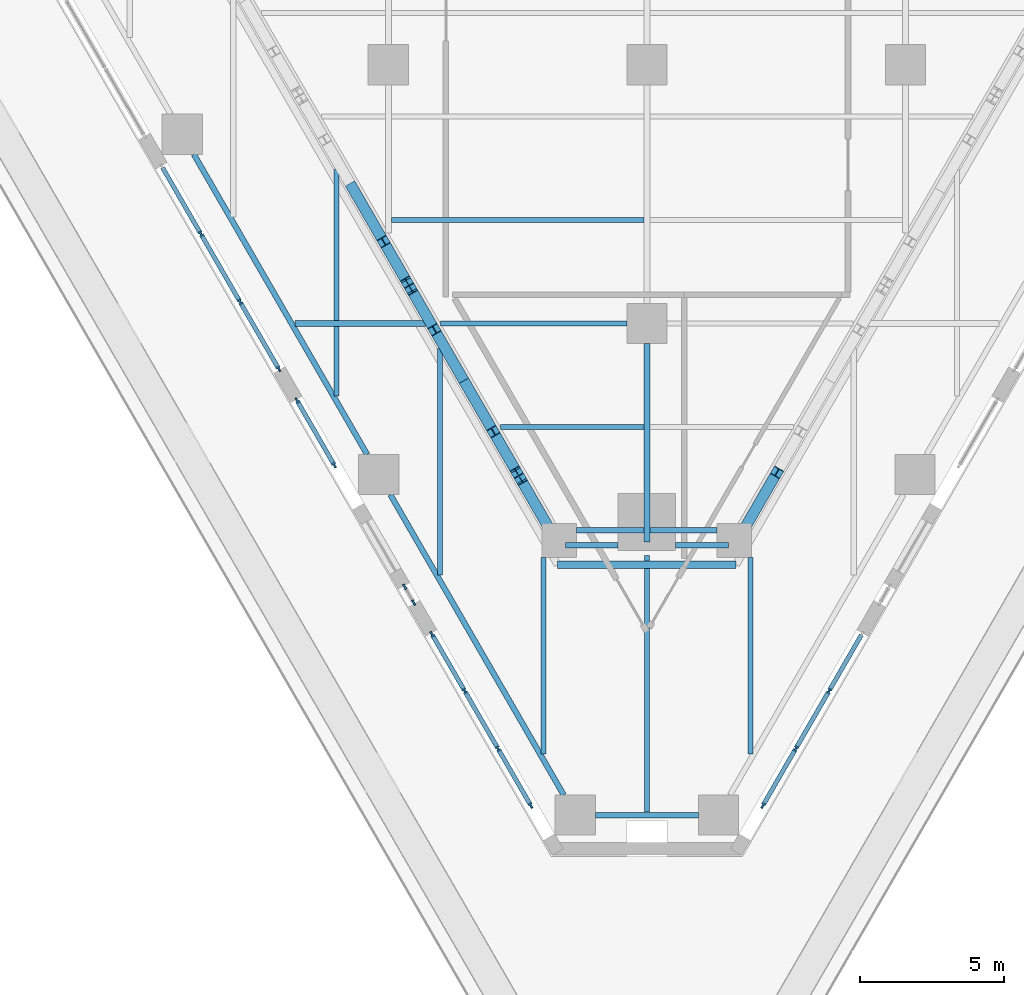
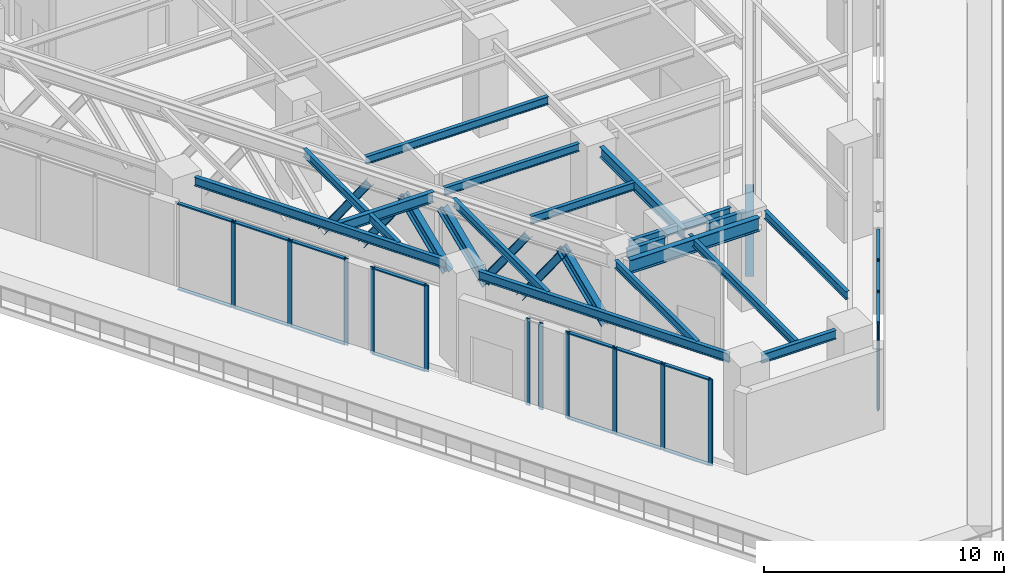
# One storey, part 2 of 25: 42 members, 19 beams, 5 elements without a shape of their own.
"""IFC4 building model written with IfcOpenShell, lengths in metres."""

from ifc_helpers import new_model, si_unit, direction, frame, origin, origin_2d, place, context, subcontext, project, spatial, rectangle, i_section, extrude, material, material_profile, profile_set, type_object, element, aggregate, save


model = new_model("IFC4")

# Units and contexts
model_context = context("Model", 3, precision=1e-05, world=origin(), true_north=direction((0.0, 1.0)))
body_context = subcontext(model_context, "Body", "Model", "MODEL_VIEW")
ifc_project = project(units=[si_unit("LENGTHUNIT", "METRE"), si_unit("AREAUNIT", "SQUARE_METRE"), si_unit("VOLUMEUNIT", "CUBIC_METRE"), si_unit("PLANEANGLEUNIT", "RADIAN"), si_unit("MASSUNIT", "GRAM", prefix="KILO")], contexts=[model_context])

# Site, building, storey
site_placement = place(None, origin())
site = spatial("IfcSite", under=ifc_project, at=site_placement, CompositionType="ELEMENT")
building_placement = place(site_placement, origin())
building = spatial("IfcBuilding", under=site, at=building_placement, Name="Aloe Facet Convention Tower", CompositionType="ELEMENT")
storey_placement = place(building_placement, frame((0.0, 0.0, 30.0)))
storey = spatial("IfcBuildingStorey", under=building, at=storey_placement, Name="L05", CompositionType="ELEMENT", Elevation=30.0)

# Beam
ifc_material_1 = material(Name="Steel S355", Category="steel")
ifc_material_profile_1 = material_profile(ifc_material_1, i_section(OverallWidth=0.25439453125, OverallDepth=0.6875, WebThickness=0.01318359375, FlangeThickness=0.02099609375, FilletRadius=0.01513671875, at=origin_2d()), Name="UB 686x254x152")
ifc_profile_set_1 = profile_set([ifc_material_profile_1], Name="Steel S355")
beam_type_1 = type_object("IfcBeamType", Name="EV-EB-UB686x254x152", PredefinedType="BEAM", material=ifc_profile_set_1)
beam_1_placement = place(storey_placement, frame((76.89501953125, 90.598876953125, 4.456298828125), z_axis=(1.0, 0.0, 0.0), x_axis=(0.0, 1.0, 0.0)))
element("IfcBeam", 1, at=beam_1_placement, inside=storey, type_object=beam_type_1, Name="EB-L06-B", PredefinedType="BEAM", context=body_context, shape_type="SweptSolid", body=[
    extrude(i_section(OverallWidth=0.25439453125, OverallDepth=0.6875, WebThickness=0.01318359375, FlangeThickness=0.02099609375, FilletRadius=0.01513671875, at=origin_2d()), origin(), (0.0, 0.0, 1.0), 6.2099609375),
])

# Curtain wall, members
ifc_material_2 = material(Name="Aluminium, anodised", Category="aluminium")
curtain_wall_type = type_object("IfcCurtainWallType", Name="EV-CW-HALL", PredefinedType="USERDEFINED", material=ifc_material_2)
curtain_wall_1_placement = place(storey_placement, origin())
curtain_wall_1 = element("IfcCurtainWall", 2, at=curtain_wall_1_placement, inside=storey, type_object=curtain_wall_type, Name="CW-L05-W08", ObjectType="UNITISED HALL GLAZING", PredefinedType="USERDEFINED")
ifc_material_3 = material(Name="Aluminium, anodised", Category="aluminium")
ifc_material_profile_2 = material_profile(ifc_material_3, rectangle(XDim=0.06494140625, YDim=0.199951171875, at=origin_2d()), Name="AL 65x200")
ifc_profile_set_2 = profile_set([ifc_material_profile_2], Name="Aluminium, anodised")
member_type_1 = type_object("IfcMemberType", Name="EV-MULL-HALL", PredefinedType="MULLION", material=ifc_profile_set_2)
member_1_placement = place(storey_placement, frame((64.473388671875, 102.113525390625, -0.300048828125), z_axis=(0.0, 0.0, 1.0), x_axis=(0.866025403784, 0.5, 0.0)))
member_1 = element("IfcMember", 3, at=member_1_placement, type_object=member_type_1, Name="CW-L05-W08 mullion 2", PredefinedType="MULLION", context=body_context, shape_type="SweptSolid", body=[
    extrude(rectangle(XDim=0.06494140625, YDim=0.199951171875, at=origin_2d()), origin(), (0.0, 0.0, 1.0), 4.41259765625),
])
member_2_placement = place(storey_placement, frame((65.83837890625, 99.7490234375, -0.300048828125), z_axis=(0.0, 0.0, 1.0), x_axis=(0.866025403784, 0.5, 0.0)))
member_2 = element("IfcMember", 4, at=member_2_placement, type_object=member_type_1, Name="CW-L05-W08 mullion 3", PredefinedType="MULLION", context=body_context, shape_type="SweptSolid", body=[
    extrude(rectangle(XDim=0.06494140625, YDim=0.199951171875, at=origin_2d()), origin(), (0.0, 0.0, 1.0), 4.41259765625),
])
member_3_placement = place(storey_placement, frame((67.1875, 97.41259765625, -0.300048828125), z_axis=(0.0, 0.0, 1.0), x_axis=(0.866025403784, 0.5, 0.0)))
member_3 = element("IfcMember", 5, at=member_3_placement, type_object=member_type_1, Name="CW-L05-W08 mullion 4", PredefinedType="MULLION", context=body_context, shape_type="SweptSolid", body=[
    extrude(rectangle(XDim=0.06494140625, YDim=0.199951171875, at=origin_2d()), origin(), (0.0, 0.0, 1.0), 4.41259765625),
])

curtain_wall_2_placement = place(storey_placement, origin())
curtain_wall_2 = element("IfcCurtainWall", 6, at=curtain_wall_2_placement, inside=storey, type_object=curtain_wall_type, Name="CW-L05-W10A", ObjectType="UNITISED HALL GLAZING", PredefinedType="USERDEFINED")
member_4_placement = place(storey_placement, frame((67.81982421875, 96.31689453125, -0.300048828125), z_axis=(0.0, 0.0, 1.0), x_axis=(0.866025403854, 0.499999999879, 0.0)))
member_4 = element("IfcMember", 7, at=member_4_placement, type_object=member_type_1, Name="CW-L05-W10A mullion 1", PredefinedType="MULLION", context=body_context, shape_type="SweptSolid", body=[
    extrude(rectangle(XDim=0.06494140625, YDim=0.199951171875, at=origin_2d()), origin(), (0.0, 0.0, 1.0), 4.41259765625),
])
member_5_placement = place(storey_placement, frame((69.120849609375, 94.06396484375, -0.300048828125), z_axis=(0.0, 0.0, 1.0), x_axis=(0.866025403854, 0.499999999879, 0.0)))
member_5 = element("IfcMember", 8, at=member_5_placement, type_object=member_type_1, Name="CW-L05-W10A mullion 2", PredefinedType="MULLION", context=body_context, shape_type="SweptSolid", body=[
    extrude(rectangle(XDim=0.06494140625, YDim=0.199951171875, at=origin_2d()), origin(), (0.0, 0.0, 1.0), 4.41259765625),
])

curtain_wall_3_placement = place(storey_placement, origin())
curtain_wall_3 = element("IfcCurtainWall", 9, at=curtain_wall_3_placement, inside=storey, type_object=curtain_wall_type, Name="CW-L05-W10B", ObjectType="UNITISED HALL GLAZING", PredefinedType="USERDEFINED")
member_6_placement = place(storey_placement, frame((71.567626953125, 89.82568359375, -0.300048828125), z_axis=(0.0, 0.0, 1.0), x_axis=(0.866025403898, 0.499999999804, 0.0)))
member_6 = element("IfcMember", 10, at=member_6_placement, type_object=member_type_1, Name="CW-L05-W10B mullion 1", PredefinedType="MULLION", context=body_context, shape_type="SweptSolid", body=[
    extrude(rectangle(XDim=0.06494140625, YDim=0.199951171875, at=origin_2d()), origin(), (0.0, 0.0, 1.0), 4.41259765625),
])
member_7_placement = place(storey_placement, frame((71.883056640625, 89.279541015625, -0.300048828125), z_axis=(0.0, 0.0, 1.0), x_axis=(0.866025403898, 0.499999999804, 0.0)))
member_7 = element("IfcMember", 11, at=member_7_placement, type_object=member_type_1, Name="CW-L05-W10B mullion 2", PredefinedType="MULLION", context=body_context, shape_type="SweptSolid", body=[
    extrude(rectangle(XDim=0.06494140625, YDim=0.199951171875, at=origin_2d()), origin(), (0.0, 0.0, 1.0), 4.41259765625),
])
aggregate(curtain_wall_3, [member_6, member_7])

curtain_wall_4_placement = place(storey_placement, origin())
curtain_wall_4 = element("IfcCurtainWall", 12, at=curtain_wall_4_placement, inside=storey, type_object=curtain_wall_type, Name="CW-L05-W12", ObjectType="UNITISED HALL GLAZING", PredefinedType="USERDEFINED")
member_8_placement = place(storey_placement, frame((72.515625, 88.18408203125, -0.300048828125), z_axis=(0.0, 0.0, 1.0), x_axis=(0.866025403776, 0.500000000015, 0.0)))
member_8 = element("IfcMember", 13, at=member_8_placement, type_object=member_type_1, Name="CW-L05-W12 mullion 1", PredefinedType="MULLION", context=body_context, shape_type="SweptSolid", body=[
    extrude(rectangle(XDim=0.06494140625, YDim=0.199951171875, at=origin_2d()), origin(), (0.0, 0.0, 1.0), 4.41259765625),
])
member_9_placement = place(storey_placement, frame((73.658935546875, 86.203369140625, -0.300048828125), z_axis=(0.0, 0.0, 1.0), x_axis=(0.866025403776, 0.500000000015, 0.0)))
member_9 = element("IfcMember", 14, at=member_9_placement, type_object=member_type_1, Name="CW-L05-W12 mullion 2", PredefinedType="MULLION", context=body_context, shape_type="SweptSolid", body=[
    extrude(rectangle(XDim=0.06494140625, YDim=0.199951171875, at=origin_2d()), origin(), (0.0, 0.0, 1.0), 4.41259765625),
])
member_10_placement = place(storey_placement, frame((74.81884765625, 84.194580078125, -0.300048828125), z_axis=(0.0, 0.0, 1.0), x_axis=(0.866025403776, 0.500000000015, 0.0)))
member_10 = element("IfcMember", 15, at=member_10_placement, type_object=member_type_1, Name="CW-L05-W12 mullion 3", PredefinedType="MULLION", context=body_context, shape_type="SweptSolid", body=[
    extrude(rectangle(XDim=0.06494140625, YDim=0.199951171875, at=origin_2d()), origin(), (0.0, 0.0, 1.0), 4.41259765625),
])
member_11_placement = place(storey_placement, frame((75.962158203125, 82.214111328125, -0.300048828125), z_axis=(0.0, 0.0, 1.0), x_axis=(0.866025403776, 0.500000000015, 0.0)))
member_11 = element("IfcMember", 16, at=member_11_placement, type_object=member_type_1, Name="CW-L05-W12 mullion 4", PredefinedType="MULLION", context=body_context, shape_type="SweptSolid", body=[
    extrude(rectangle(XDim=0.06494140625, YDim=0.199951171875, at=origin_2d()), origin(), (0.0, 0.0, 1.0), 4.41259765625),
])

curtain_wall_5_placement = place(storey_placement, origin())
curtain_wall_5 = element("IfcCurtainWall", 17, at=curtain_wall_5_placement, inside=storey, type_object=curtain_wall_type, Name="CW-L05-E02", ObjectType="UNITISED HALL GLAZING", PredefinedType="USERDEFINED")
member_12_placement = place(storey_placement, frame((84.037841796875, 82.214111328125, -0.300048828125), z_axis=(0.0, 0.0, 1.0), x_axis=(-0.866025403776, 0.500000000015, 0.0)))
member_12 = element("IfcMember", 18, at=member_12_placement, type_object=member_type_1, Name="CW-L05-E02 mullion 1", PredefinedType="MULLION", context=body_context, shape_type="SweptSolid", body=[
    extrude(rectangle(XDim=0.06494140625, YDim=0.199951171875, at=origin_2d()), origin(), (0.0, 0.0, 1.0), 4.41259765625),
])
member_13_placement = place(storey_placement, frame((85.18115234375, 84.194580078125, -0.300048828125), z_axis=(0.0, 0.0, 1.0), x_axis=(-0.866025403776, 0.500000000015, 0.0)))
member_13 = element("IfcMember", 19, at=member_13_placement, type_object=member_type_1, Name="CW-L05-E02 mullion 2", PredefinedType="MULLION", context=body_context, shape_type="SweptSolid", body=[
    extrude(rectangle(XDim=0.06494140625, YDim=0.199951171875, at=origin_2d()), origin(), (0.0, 0.0, 1.0), 4.41259765625),
])
member_14_placement = place(storey_placement, frame((86.341064453125, 86.203369140625, -0.300048828125), z_axis=(0.0, 0.0, 1.0), x_axis=(-0.866025403776, 0.500000000015, 0.0)))
member_14 = element("IfcMember", 20, at=member_14_placement, type_object=member_type_1, Name="CW-L05-E02 mullion 3", PredefinedType="MULLION", context=body_context, shape_type="SweptSolid", body=[
    extrude(rectangle(XDim=0.06494140625, YDim=0.199951171875, at=origin_2d()), origin(), (0.0, 0.0, 1.0), 4.41259765625),
])

# Member
ifc_material_4 = material(Name="Aluminium, anodised", Category="aluminium")
ifc_material_profile_3 = material_profile(ifc_material_4, rectangle(XDim=0.159912109375, YDim=0.06494140625, at=origin_2d()), Name="AL 160x65")
ifc_profile_set_3 = profile_set([ifc_material_profile_3], Name="Aluminium, anodised")
member_type_2 = type_object("IfcMemberType", Name="EV-TRAN-HALL", PredefinedType="USERDEFINED", material=ifc_profile_set_3)
member_15_placement = place(storey_placement, frame((63.140625, 104.421875, -0.267578125), z_axis=(0.499968599967, -0.866043531843, 0.0), x_axis=(0.866043531843, 0.499968599967, 0.0)))
member_15 = element("IfcMember", 21, at=member_15_placement, type_object=member_type_2, Name="CW-L05-W08 transom 1.1", ObjectType="TRANSOM", PredefinedType="USERDEFINED", context=body_context, shape_type="SweptSolid", body=[
    extrude(rectangle(XDim=0.159912109375, YDim=0.06494140625, at=origin_2d()), origin(), (0.0, 0.0, 1.0), 2.633056640625),
])

member_16_placement = place(storey_placement, frame((63.140625, 104.421875, 4.080078125), z_axis=(0.499968599967, -0.866043531843, 0.0), x_axis=(0.866043531843, 0.499968599967, 0.0)))
member_16 = element("IfcMember", 22, at=member_16_placement, type_object=member_type_2, Name="CW-L05-W08 transom 1.2", ObjectType="TRANSOM", PredefinedType="USERDEFINED", context=body_context, shape_type="SweptSolid", body=[
    extrude(rectangle(XDim=0.159912109375, YDim=0.06494140625, at=origin_2d()), origin(), (0.0, 0.0, 1.0), 2.633056640625),
])

member_17_placement = place(storey_placement, frame((64.489501953125, 102.08544921875, -0.267578125), z_axis=(0.500010524421, -0.866019327422, 0.0), x_axis=(0.866019327422, 0.500010524421, 0.0)))
member_17 = element("IfcMember", 23, at=member_17_placement, type_object=member_type_2, Name="CW-L05-W08 transom 2.1", ObjectType="TRANSOM", PredefinedType="USERDEFINED", context=body_context, shape_type="SweptSolid", body=[
    extrude(rectangle(XDim=0.159912109375, YDim=0.06494140625, at=origin_2d()), origin(), (0.0, 0.0, 1.0), 2.66552734375),
])

member_18_placement = place(storey_placement, frame((64.489501953125, 102.08544921875, 4.080078125), z_axis=(0.500010524421, -0.866019327422, 0.0), x_axis=(0.866019327422, 0.500010524421, 0.0)))
member_18 = element("IfcMember", 24, at=member_18_placement, type_object=member_type_2, Name="CW-L05-W08 transom 2.2", ObjectType="TRANSOM", PredefinedType="USERDEFINED", context=body_context, shape_type="SweptSolid", body=[
    extrude(rectangle(XDim=0.159912109375, YDim=0.06494140625, at=origin_2d()), origin(), (0.0, 0.0, 1.0), 2.66552734375),
])

member_19_placement = place(storey_placement, frame((65.854736328125, 99.720947265625, -0.267578125), z_axis=(0.499968599967, -0.866043531843, 0.0), x_axis=(0.866043531843, 0.499968599967, 0.0)))
member_19 = element("IfcMember", 25, at=member_19_placement, type_object=member_type_2, Name="CW-L05-W08 transom 3.1", ObjectType="TRANSOM", PredefinedType="USERDEFINED", context=body_context, shape_type="SweptSolid", body=[
    extrude(rectangle(XDim=0.159912109375, YDim=0.06494140625, at=origin_2d()), origin(), (0.0, 0.0, 1.0), 2.633056640625),
])

member_20_placement = place(storey_placement, frame((65.854736328125, 99.720947265625, 4.080078125), z_axis=(0.499968599967, -0.866043531843, 0.0), x_axis=(0.866043531843, 0.499968599967, 0.0)))
member_20 = element("IfcMember", 26, at=member_20_placement, type_object=member_type_2, Name="CW-L05-W08 transom 3.2", ObjectType="TRANSOM", PredefinedType="USERDEFINED", context=body_context, shape_type="SweptSolid", body=[
    extrude(rectangle(XDim=0.159912109375, YDim=0.06494140625, at=origin_2d()), origin(), (0.0, 0.0, 1.0), 2.633056640625),
])

aggregate(curtain_wall_1, [member_1, member_2, member_3, member_15, member_16, member_17, member_18, member_19, member_20])

member_21_placement = place(storey_placement, frame((67.836181640625, 96.288818359375, -0.267578125), z_axis=(0.500000164425, -0.866025308854, 0.0), x_axis=(0.866025308854, 0.500000164425, 0.0)))
member_21 = element("IfcMember", 27, at=member_21_placement, type_object=member_type_2, Name="CW-L05-W10A transom 1.1", ObjectType="TRANSOM", PredefinedType="USERDEFINED", context=body_context, shape_type="SweptSolid", body=[
    extrude(rectangle(XDim=0.159912109375, YDim=0.06494140625, at=origin_2d()), origin(), (0.0, 0.0, 1.0), 2.53662109375),
])

member_22_placement = place(storey_placement, frame((67.836181640625, 96.288818359375, 4.080078125), z_axis=(0.500000164425, -0.866025308854, 0.0), x_axis=(0.866025308854, 0.500000164425, 0.0)))
member_22 = element("IfcMember", 28, at=member_22_placement, type_object=member_type_2, Name="CW-L05-W10A transom 1.2", ObjectType="TRANSOM", PredefinedType="USERDEFINED", context=body_context, shape_type="SweptSolid", body=[
    extrude(rectangle(XDim=0.159912109375, YDim=0.06494140625, at=origin_2d()), origin(), (0.0, 0.0, 1.0), 2.53662109375),
])

aggregate(curtain_wall_2, [member_4, member_5, member_21, member_22])

member_23_placement = place(storey_placement, frame((72.53173828125, 88.15576171875, -0.267578125), z_axis=(0.500074377092, -0.865982457891, 0.0), x_axis=(0.865982457891, 0.500074377092, 0.0)))
member_23 = element("IfcMember", 29, at=member_23_placement, type_object=member_type_2, Name="CW-L05-W12 transom 1.1", ObjectType="TRANSOM", PredefinedType="USERDEFINED", context=body_context, shape_type="SweptSolid", body=[
    extrude(rectangle(XDim=0.159912109375, YDim=0.06494140625, at=origin_2d()), origin(), (0.0, 0.0, 1.0), 2.221923828125),
])

member_24_placement = place(storey_placement, frame((72.53173828125, 88.15576171875, 4.080078125), z_axis=(0.500074377092, -0.865982457891, 0.0), x_axis=(0.865982457891, 0.500074377092, 0.0)))
member_24 = element("IfcMember", 30, at=member_24_placement, type_object=member_type_2, Name="CW-L05-W12 transom 1.2", ObjectType="TRANSOM", PredefinedType="USERDEFINED", context=body_context, shape_type="SweptSolid", body=[
    extrude(rectangle(XDim=0.159912109375, YDim=0.06494140625, at=origin_2d()), origin(), (0.0, 0.0, 1.0), 2.221923828125),
])

member_25_placement = place(storey_placement, frame((73.67529296875, 86.17529296875, -0.267578125), z_axis=(0.499994306202, -0.866028691075, 0.0), x_axis=(0.866028691075, 0.499994306202, 0.0)))
member_25 = element("IfcMember", 31, at=member_25_placement, type_object=member_type_2, Name="CW-L05-W12 transom 2.1", ObjectType="TRANSOM", PredefinedType="USERDEFINED", context=body_context, shape_type="SweptSolid", body=[
    extrude(rectangle(XDim=0.159912109375, YDim=0.06494140625, at=origin_2d()), origin(), (0.0, 0.0, 1.0), 2.25439453125),
])

member_26_placement = place(storey_placement, frame((73.67529296875, 86.17529296875, 4.080078125), z_axis=(0.499994306202, -0.866028691075, 0.0), x_axis=(0.866028691075, 0.499994306202, 0.0)))
member_26 = element("IfcMember", 32, at=member_26_placement, type_object=member_type_2, Name="CW-L05-W12 transom 2.2", ObjectType="TRANSOM", PredefinedType="USERDEFINED", context=body_context, shape_type="SweptSolid", body=[
    extrude(rectangle(XDim=0.159912109375, YDim=0.06494140625, at=origin_2d()), origin(), (0.0, 0.0, 1.0), 2.25439453125),
])

member_27_placement = place(storey_placement, frame((74.8349609375, 84.16650390625, -0.267578125), z_axis=(0.500026795713, -0.86600993272, 0.0), x_axis=(0.86600993272, 0.500026795713, 0.0)))
member_27 = element("IfcMember", 33, at=member_27_placement, type_object=member_type_2, Name="CW-L05-W12 transom 3.1", ObjectType="TRANSOM", PredefinedType="USERDEFINED", context=body_context, shape_type="SweptSolid", body=[
    extrude(rectangle(XDim=0.159912109375, YDim=0.06494140625, at=origin_2d()), origin(), (0.0, 0.0, 1.0), 2.22216796875),
])

member_28_placement = place(storey_placement, frame((74.8349609375, 84.16650390625, 4.080078125), z_axis=(0.500026795713, -0.86600993272, 0.0), x_axis=(0.86600993272, 0.500026795713, 0.0)))
member_28 = element("IfcMember", 34, at=member_28_placement, type_object=member_type_2, Name="CW-L05-W12 transom 3.2", ObjectType="TRANSOM", PredefinedType="USERDEFINED", context=body_context, shape_type="SweptSolid", body=[
    extrude(rectangle(XDim=0.159912109375, YDim=0.06494140625, at=origin_2d()), origin(), (0.0, 0.0, 1.0), 2.22216796875),
])

aggregate(curtain_wall_4, [member_8, member_9, member_10, member_11, member_23, member_24, member_25, member_26, member_27, member_28])

member_29_placement = place(storey_placement, frame((84.053955078125, 82.2421875, -0.267578125), z_axis=(0.500026795713, 0.86600993272, 0.0), x_axis=(-0.86600993272, 0.500026795713, 0.0)))
member_29 = element("IfcMember", 35, at=member_29_placement, type_object=member_type_2, Name="CW-L05-E02 transom 1.1", ObjectType="TRANSOM", PredefinedType="USERDEFINED", context=body_context, shape_type="SweptSolid", body=[
    extrude(rectangle(XDim=0.159912109375, YDim=0.06494140625, at=origin_2d()), origin(), (0.0, 0.0, 1.0), 2.22216796875),
])

member_30_placement = place(storey_placement, frame((84.053955078125, 82.2421875, 4.080078125), z_axis=(0.500026795713, 0.86600993272, 0.0), x_axis=(-0.86600993272, 0.500026795713, 0.0)))
member_30 = element("IfcMember", 36, at=member_30_placement, type_object=member_type_2, Name="CW-L05-E02 transom 1.2", ObjectType="TRANSOM", PredefinedType="USERDEFINED", context=body_context, shape_type="SweptSolid", body=[
    extrude(rectangle(XDim=0.159912109375, YDim=0.06494140625, at=origin_2d()), origin(), (0.0, 0.0, 1.0), 2.22216796875),
])

member_31_placement = place(storey_placement, frame((85.197509765625, 84.222900390625, -0.267578125), z_axis=(0.499994306202, 0.866028691075, 0.0), x_axis=(-0.866028691075, 0.499994306202, 0.0)))
member_31 = element("IfcMember", 37, at=member_31_placement, type_object=member_type_2, Name="CW-L05-E02 transom 2.1", ObjectType="TRANSOM", PredefinedType="USERDEFINED", context=body_context, shape_type="SweptSolid", body=[
    extrude(rectangle(XDim=0.159912109375, YDim=0.06494140625, at=origin_2d()), origin(), (0.0, 0.0, 1.0), 2.25439453125),
])

member_32_placement = place(storey_placement, frame((85.197509765625, 84.222900390625, 4.080078125), z_axis=(0.499994306202, 0.866028691075, 0.0), x_axis=(-0.866028691075, 0.499994306202, 0.0)))
member_32 = element("IfcMember", 38, at=member_32_placement, type_object=member_type_2, Name="CW-L05-E02 transom 2.2", ObjectType="TRANSOM", PredefinedType="USERDEFINED", context=body_context, shape_type="SweptSolid", body=[
    extrude(rectangle(XDim=0.159912109375, YDim=0.06494140625, at=origin_2d()), origin(), (0.0, 0.0, 1.0), 2.25439453125),
])

member_33_placement = place(storey_placement, frame((86.357177734375, 86.231689453125, -0.267578125), z_axis=(0.500074377092, 0.865982457891, 0.0), x_axis=(-0.865982457891, 0.500074377092, 0.0)))
member_33 = element("IfcMember", 39, at=member_33_placement, type_object=member_type_2, Name="CW-L05-E02 transom 3.1", ObjectType="TRANSOM", PredefinedType="USERDEFINED", context=body_context, shape_type="SweptSolid", body=[
    extrude(rectangle(XDim=0.159912109375, YDim=0.06494140625, at=origin_2d()), origin(), (0.0, 0.0, 1.0), 2.221923828125),
])

member_34_placement = place(storey_placement, frame((86.357177734375, 86.231689453125, 4.080078125), z_axis=(0.500074377092, 0.865982457891, 0.0), x_axis=(-0.865982457891, 0.500074377092, 0.0)))
member_34 = element("IfcMember", 40, at=member_34_placement, type_object=member_type_2, Name="CW-L05-E02 transom 3.2", ObjectType="TRANSOM", PredefinedType="USERDEFINED", context=body_context, shape_type="SweptSolid", body=[
    extrude(rectangle(XDim=0.159912109375, YDim=0.06494140625, at=origin_2d()), origin(), (0.0, 0.0, 1.0), 2.221923828125),
])

aggregate(curtain_wall_5, [member_12, member_13, member_14, member_29, member_30, member_31, member_32, member_33, member_34])

# Beams
ifc_material_5 = material(Name="Steel S355", Category="steel")
ifc_material_profile_4 = material_profile(ifc_material_5, i_section(OverallWidth=0.177734375, OverallDepth=0.402587890625, WebThickness=0.0078125, FlangeThickness=0.010986328125, FilletRadius=0.01025390625, at=origin_2d()), Name="UB 406x178x54")
ifc_profile_set_4 = profile_set([ifc_material_profile_4], Name="Steel S355")
beam_type_2 = type_object("IfcBeamType", Name="SF-B-UB406x178x54", PredefinedType="BEAM", material=ifc_profile_set_4)
beam_2_placement = place(storey_placement, frame((69.199951171875, 96.4765625, 4.5986328125), z_axis=(0.0, 1.0, 0.0), x_axis=(-1.0, 0.0, 0.0)))
element("IfcBeam", 41, at=beam_2_placement, inside=storey, type_object=beam_type_2, Name="Floor beam FB-L06-825", PredefinedType="BEAM", context=body_context, shape_type="SweptSolid", body=[
    extrude(i_section(OverallWidth=0.177734375, OverallDepth=0.402587890625, WebThickness=0.0078125, FlangeThickness=0.010986328125, FilletRadius=0.01025390625, at=origin_2d()), origin(), (0.0, 0.0, 1.0), 2.41796875),
])
beam_3_placement = place(storey_placement, frame((69.199951171875, 99.10546875, 4.5986328125), z_axis=(0.0, 1.0, 0.0), x_axis=(-1.0, 0.0, 0.0)))
element("IfcBeam", 42, at=beam_3_placement, inside=storey, type_object=beam_type_2, Name="Floor beam FB-L06-826", PredefinedType="BEAM", context=body_context, shape_type="SweptSolid", body=[
    extrude(i_section(OverallWidth=0.177734375, OverallDepth=0.402587890625, WebThickness=0.0078125, FlangeThickness=0.010986328125, FilletRadius=0.01025390625, at=origin_2d()), origin(), (0.0, 0.0, 1.0), 5.255859375),
])
beam_4_placement = place(storey_placement, frame((72.800048828125, 90.2412109375, 4.5986328125), z_axis=(0.0, 1.0, 0.0), x_axis=(-1.0, 0.0, 0.0)))
element("IfcBeam", 43, at=beam_4_placement, inside=storey, type_object=beam_type_2, Name="Floor beam FB-L06-827", PredefinedType="BEAM", context=body_context, shape_type="SweptSolid", body=[
    extrude(i_section(OverallWidth=0.177734375, OverallDepth=0.402587890625, WebThickness=0.0078125, FlangeThickness=0.010986328125, FilletRadius=0.01025390625, at=origin_2d()), origin(), (0.0, 0.0, 1.0), 7.884765625),
])
beam_5_placement = place(storey_placement, frame((76.39990234375, 84.005859375, 4.5986328125), z_axis=(0.0, 1.0, 0.0), x_axis=(-1.0, 0.0, 0.0)))
element("IfcBeam", 44, at=beam_5_placement, inside=storey, type_object=beam_type_2, Name="Floor beam FB-L06-828", PredefinedType="BEAM", context=body_context, shape_type="SweptSolid", body=[
    extrude(i_section(OverallWidth=0.177734375, OverallDepth=0.402587890625, WebThickness=0.0078125, FlangeThickness=0.010986328125, FilletRadius=0.01025390625, at=origin_2d()), origin(), (0.0, 0.0, 1.0), 6.836669921875),
])
beam_6_placement = place(storey_placement, frame((80.0, 81.9912109375, 4.5986328125), z_axis=(0.0, 1.0, 0.0), x_axis=(-1.0, 0.0, 0.0)))
element("IfcBeam", 45, at=beam_6_placement, inside=storey, type_object=beam_type_2, Name="Floor beam FB-L06-829", PredefinedType="BEAM", context=body_context, shape_type="SweptSolid", body=[
    extrude(i_section(OverallWidth=0.177734375, OverallDepth=0.402587890625, WebThickness=0.0078125, FlangeThickness=0.010986328125, FilletRadius=0.01025390625, at=origin_2d()), origin(), (0.0, 0.0, 1.0), 8.932373046875),
])
beam_7_placement = place(storey_placement, frame((83.60009765625, 84.005859375, 4.5986328125), z_axis=(0.0, 1.0, 0.0), x_axis=(-1.0, 0.0, 0.0)))
element("IfcBeam", 46, at=beam_7_placement, inside=storey, type_object=beam_type_2, Name="Floor beam FB-L06-830", PredefinedType="BEAM", context=body_context, shape_type="SweptSolid", body=[
    extrude(i_section(OverallWidth=0.177734375, OverallDepth=0.402587890625, WebThickness=0.0078125, FlangeThickness=0.010986328125, FilletRadius=0.01025390625, at=origin_2d()), origin(), (0.0, 0.0, 1.0), 6.836669921875),
])
beam_8_placement = place(storey_placement, frame((71.10546875, 102.60009765625, 4.5986328125), z_axis=(1.0, 0.0, 0.0), x_axis=(0.0, 1.0, 0.0)))
element("IfcBeam", 47, at=beam_8_placement, inside=storey, type_object=beam_type_2, Name="Floor beam FB-Z1A-025", PredefinedType="BEAM", context=body_context, shape_type="SweptSolid", body=[
    extrude(i_section(OverallWidth=0.177734375, OverallDepth=0.402587890625, WebThickness=0.0078125, FlangeThickness=0.010986328125, FilletRadius=0.01025390625, at=origin_2d()), origin(), (0.0, 0.0, 1.0), 8.7890625),
])
beam_9_placement = place(storey_placement, frame((72.822265625, 99.0, 4.5986328125), z_axis=(1.0, 0.0, 0.0), x_axis=(0.0, 1.0, 0.0)))
element("IfcBeam", 48, at=beam_9_placement, inside=storey, type_object=beam_type_2, Name="Floor beam FB-Z1A-030", PredefinedType="BEAM", context=body_context, shape_type="SweptSolid", body=[
    extrude(i_section(OverallWidth=0.177734375, OverallDepth=0.402587890625, WebThickness=0.0078125, FlangeThickness=0.010986328125, FilletRadius=0.01025390625, at=origin_2d()), origin(), (0.0, 0.0, 1.0), 6.477783203125),
])
beam_10_placement = place(storey_placement, frame((74.900634765625, 95.39990234375, 4.5986328125), z_axis=(1.0, 0.0, 0.0), x_axis=(0.0, 1.0, 0.0)))
element("IfcBeam", 49, at=beam_10_placement, inside=storey, type_object=beam_type_2, Name="Floor beam FB-Z1A-031", PredefinedType="BEAM", context=body_context, shape_type="SweptSolid", body=[
    extrude(i_section(OverallWidth=0.177734375, OverallDepth=0.402587890625, WebThickness=0.0078125, FlangeThickness=0.010986328125, FilletRadius=0.01025390625, at=origin_2d()), origin(), (0.0, 0.0, 1.0), 4.993896484375),
])
for number, where, z_axis, x_axis, name in (
    (50, (77.55615234375, 91.800048828125, 4.5986328125), (1.0, 0.0, 0.0), (0.0, 1.0, 0.0), "Floor beam FB-Z1A-032"),
    (51, (80.10546875, 91.800048828125, 4.5986328125), (1.0, 0.0, 0.0), (0.0, 1.0, 0.0), "Floor beam FB-Z1A-033"),
):
    element("IfcBeam", number, at=place(storey_placement, frame(where, z_axis=z_axis, x_axis=x_axis)), inside=storey, type_object=beam_type_2, Name=name, PredefinedType="BEAM", context=body_context, shape_type="SweptSolid", body=[
        extrude(i_section(OverallWidth=0.177734375, OverallDepth=0.402587890625, WebThickness=0.0078125, FlangeThickness=0.010986328125, FilletRadius=0.01025390625, at=origin_2d()), origin(), (0.0, 0.0, 1.0), 2.33837890625),
    ])
ifc_material_6 = material(Name="Steel S355", Category="steel")
ifc_material_profile_5 = material_profile(ifc_material_6, i_section(OverallWidth=0.18994140625, OverallDepth=0.453369140625, WebThickness=0.008544921875, FlangeThickness=0.0126953125, FilletRadius=0.01025390625, at=origin_2d()), Name="UB 457x191x67")
ifc_profile_set_5 = profile_set([ifc_material_profile_5], Name="Steel S355")
beam_type_3 = type_object("IfcBeamType", Name="SF-B-UB457x191x67", PredefinedType="BEAM", material=ifc_profile_set_5)
beam_11_placement = place(storey_placement, frame((70.2626953125, 94.43603515625, 4.5732421875), z_axis=(-0.49999978494, 0.86602552795, 0.0), x_axis=(-0.86602552795, -0.49999978494, 0.0)))
element("IfcBeam", 52, at=beam_11_placement, inside=storey, type_object=beam_type_3, Name="Floor beam FB-L06-805", PredefinedType="BEAM", context=body_context, shape_type="SweptSolid", body=[
    extrude(i_section(OverallWidth=0.18994140625, OverallDepth=0.453369140625, WebThickness=0.008544921875, FlangeThickness=0.0126953125, FilletRadius=0.01025390625, at=origin_2d()), origin(), (0.0, 0.0, 1.0), 12.0654296875),
])
beam_12_placement = place(storey_placement, frame((77.104248046875, 82.5859375, 4.5732421875), z_axis=(-0.499995089893, 0.866028238617, 0.0), x_axis=(-0.866028238617, -0.499995089893, 0.0)))
element("IfcBeam", 53, at=beam_12_placement, inside=storey, type_object=beam_type_3, Name="Floor beam FB-L06-806", PredefinedType="BEAM", context=body_context, shape_type="SweptSolid", body=[
    extrude(i_section(OverallWidth=0.18994140625, OverallDepth=0.453369140625, WebThickness=0.008544921875, FlangeThickness=0.0126953125, FilletRadius=0.01025390625, at=origin_2d()), origin(), (0.0, 0.0, 1.0), 12.06640625),
])
beam_13_placement = place(storey_placement, frame((81.7919921875, 81.88623046875, 4.5732421875), z_axis=(-1.0, 0.0, 0.0), x_axis=(0.0, -1.0, 0.0)))
element("IfcBeam", 54, at=beam_13_placement, inside=storey, type_object=beam_type_3, Name="Floor beam FB-L06-807", PredefinedType="BEAM", context=body_context, shape_type="SweptSolid", body=[
    extrude(i_section(OverallWidth=0.18994140625, OverallDepth=0.453369140625, WebThickness=0.008544921875, FlangeThickness=0.0126953125, FilletRadius=0.01025390625, at=origin_2d()), origin(), (0.0, 0.0, 1.0), 3.583984375),
])
for number, where, z_axis, x_axis, name in (
    (55, (79.0, 91.28125, 4.5732421875), (-1.0, 0.0, 0.0), (0.0, -1.0, 0.0), "Floor beam FB-Z1A-004"),
    (56, (82.841064453125, 91.28125, 4.5732421875), (-1.0, 0.0, 0.0), (0.0, -1.0, 0.0), "Floor beam FB-Z1A-005"),
):
    element("IfcBeam", number, at=place(storey_placement, frame(where, z_axis=z_axis, x_axis=x_axis)), inside=storey, type_object=beam_type_3, Name=name, PredefinedType="BEAM", context=body_context, shape_type="SweptSolid", body=[
        extrude(i_section(OverallWidth=0.18994140625, OverallDepth=0.453369140625, WebThickness=0.008544921875, FlangeThickness=0.0126953125, FilletRadius=0.01025390625, at=origin_2d()), origin(), (0.0, 0.0, 1.0), 1.841064453125),
    ])
ifc_material_7 = material(Name="Steel S355", Category="steel")
ifc_material_profile_6 = material_profile(ifc_material_7, i_section(OverallWidth=0.210693359375, OverallDepth=0.53955078125, WebThickness=0.01171875, FlangeThickness=0.018798828125, FilletRadius=0.0126953125, at=origin_2d()), Name="UB 533x210x109")
ifc_profile_set_6 = profile_set([ifc_material_profile_6], Name="Steel S355")
beam_type_4 = type_object("IfcBeamType", Name="SF-B-UB533x210x109", PredefinedType="BEAM", material=ifc_profile_set_6)
beam_14_placement = place(storey_placement, frame((67.747314453125, 99.0, 4.5302734375), z_axis=(1.0, 0.0, 0.0), x_axis=(0.0, 1.0, 0.0)))
element("IfcBeam", 57, at=beam_14_placement, inside=storey, type_object=beam_type_4, Name="Floor beam FB-L06-815", PredefinedType="BEAM", context=body_context, shape_type="SweptSolid", body=[
    extrude(i_section(OverallWidth=0.210693359375, OverallDepth=0.53955078125, WebThickness=0.01171875, FlangeThickness=0.018798828125, FilletRadius=0.0126953125, at=origin_2d()), origin(), (0.0, 0.0, 1.0), 4.543701171875),
])
beam_15_placement = place(storey_placement, frame((80.0, 98.300048828125, 4.5302734375), z_axis=(0.0, -1.0, 0.0), x_axis=(1.0, 0.0, 0.0)))
element("IfcBeam", 58, at=beam_15_placement, inside=storey, type_object=beam_type_4, Name="Floor beam FB-Z1A-011", PredefinedType="BEAM", context=body_context, shape_type="SweptSolid", body=[
    extrude(i_section(OverallWidth=0.210693359375, OverallDepth=0.53955078125, WebThickness=0.01171875, FlangeThickness=0.018798828125, FilletRadius=0.0126953125, at=origin_2d()), origin(), (0.0, 0.0, 1.0), 6.913818359375),
])

# Members
ifc_material_8 = material(Name="Steel S355", Category="steel")
ifc_material_profile_7 = material_profile(ifc_material_8, i_section(OverallWidth=0.374755859375, OverallDepth=0.37451171875, WebThickness=0.0166015625, FlangeThickness=0.027099609375, FilletRadius=0.01513671875, at=origin_2d()), Name="UC 356x368x202")
ifc_profile_set_7 = profile_set([ifc_material_profile_7], Name="Steel S355")
member_type_3 = type_object("IfcMemberType", Name="SF-W-UC356x368x202", PredefinedType="BRACE", material=ifc_profile_set_7)
for number, where, z_axis, x_axis, name in (
    (59, (69.74072265625, 103.739990234375, 0.825927734375), (0.285363086299, -0.49417932374, 0.821191028303), (0.865988583845, 0.500063768584, 0.0), "Transfer ring diagonal TW-F2-16"),
    (60, (70.695556640625, 102.086181640625, 0.825927734375), (0.285363086299, -0.49417932374, 0.821191028303), (0.865988583845, 0.500063768584, 0.0), "Transfer ring diagonal TW-F2-17"),
    (61, (71.650390625, 100.432373046875, 3.97412109375), (0.285354105547, -0.494227452165, -0.821165184341), (0.866016486034, 0.500015445679, 0.0), "Transfer ring diagonal TW-F2-18"),
    (62, (72.60546875, 98.7783203125, 3.97412109375), (0.285304587634, -0.49418830358, -0.821205950344), (0.866036909293, 0.499980071345, 0.0), "Transfer ring diagonal TW-F2-19"),
    (63, (73.560302734375, 97.12451171875, 0.825927734375), (0.285304587634, -0.49418830358, 0.821205950344), (0.866036909293, 0.499980071345, 0.0), "Transfer ring diagonal TW-F2-20"),
    (64, (74.51513671875, 95.470703125, 0.825927734375), (0.285295608397, -0.494236432314, 0.821180104973), (0.866064803699, 0.499931751136, 0.0), "Transfer ring diagonal TW-F2-21"),
    (65, (75.469970703125, 93.81689453125, 3.97412109375), (0.285295608397, -0.494236432314, -0.821180104973), (0.866064803699, 0.499931751136, 0.0), "Transfer ring diagonal TW-F2-22"),
    (66, (83.436279296875, 91.922119140625, 0.825927734375), (0.285304587634, 0.49418830358, 0.821205950344), (-0.866036909293, 0.499980071345, 0.0), "Transfer ring diagonal TW-F3-01"),
):
    element("IfcMember", number, at=place(storey_placement, frame(where, z_axis=z_axis, x_axis=x_axis)), inside=storey, type_object=member_type_3, Name=name, PredefinedType="BRACE", context=body_context, shape_type="SweptSolid", body=[
        extrude(i_section(OverallWidth=0.374755859375, OverallDepth=0.37451171875, WebThickness=0.0166015625, FlangeThickness=0.027099609375, FilletRadius=0.01513671875, at=origin_2d()), origin(), (0.0, 0.0, 1.0), 3.833740234375),
    ])

save(model, "model.ifc")
